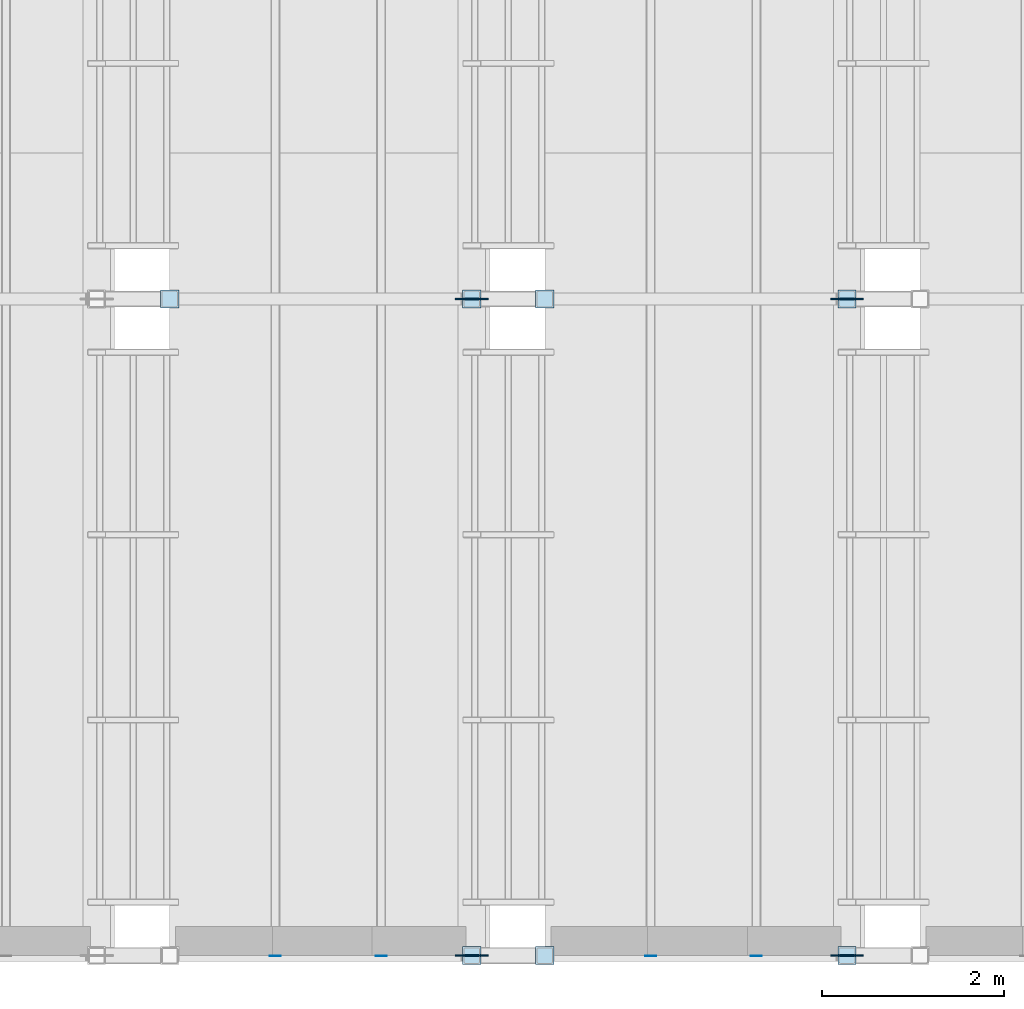
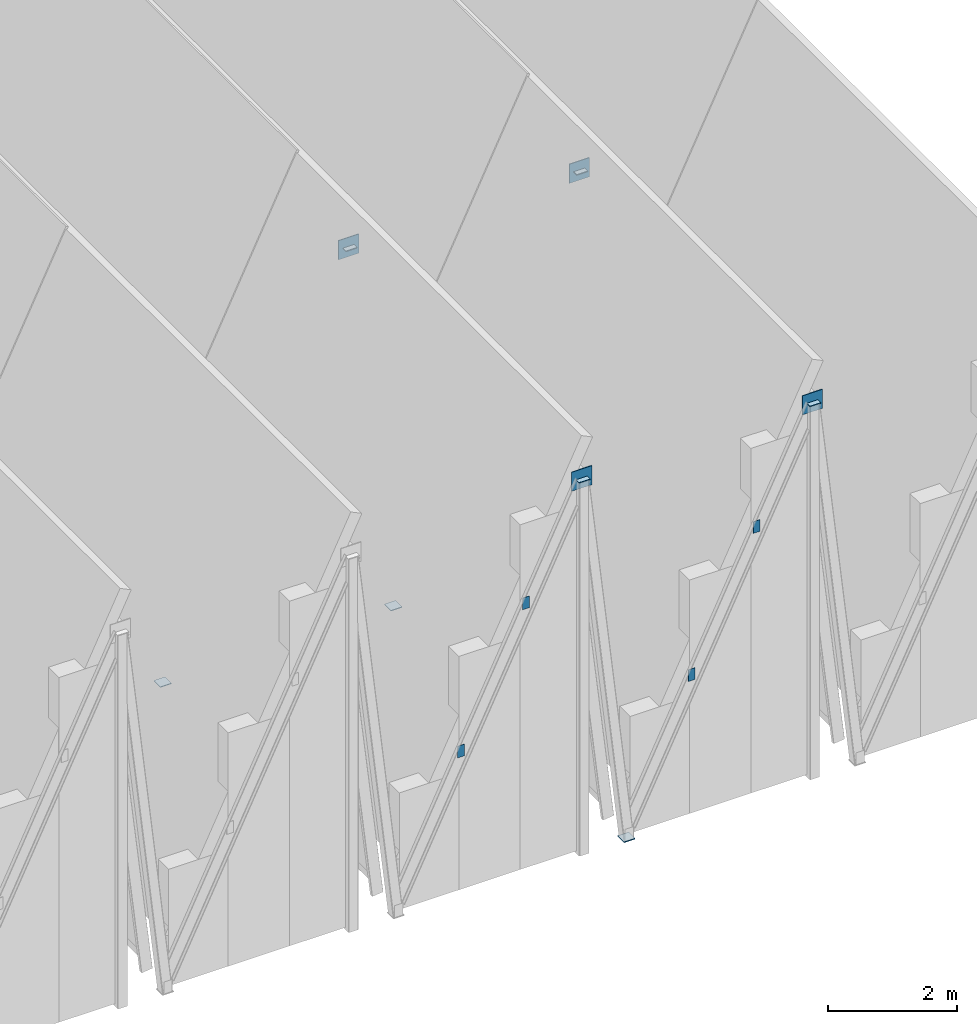
# One storey, part 21 of 28: 15 plates.
"""IFC4 building model written with IfcOpenShell, lengths in metres."""

from ifc_helpers import new_model, si_unit, direction, frame, origin, origin_2d, place, context, subcontext, project, spatial, rectangle, extrude, material, layer, layer_set, type_object, element, save


model = new_model("IFC4")

# Units and contexts
model_context = context("Model", 3, precision=1e-05, world=origin(), true_north=direction((0.0, 1.0)))
body_context = subcontext(model_context, "Body", "Model", "MODEL_VIEW")
ifc_project = project(units=[si_unit("LENGTHUNIT", "METRE"), si_unit("AREAUNIT", "SQUARE_METRE"), si_unit("VOLUMEUNIT", "CUBIC_METRE"), si_unit("PLANEANGLEUNIT", "RADIAN"), si_unit("MASSUNIT", "GRAM", prefix="KILO")], contexts=[model_context])

# Site, building, storey
site_placement = place(None, origin())
site = spatial("IfcSite", under=ifc_project, at=site_placement, CompositionType="ELEMENT")
building_placement = place(site_placement, origin())
building = spatial("IfcBuilding", under=site, at=building_placement, Name="Bramveld Media Centre", CompositionType="ELEMENT")
storey_placement = place(building_placement, frame((0.0, 0.0, 33.89990234375)))
storey = spatial("IfcBuildingStorey", under=building, at=storey_placement, Name="ROOF", CompositionType="ELEMENT", Elevation=33.89990234375)

# Plates
ifc_material_1 = material(Name="Steel S355J2", Category="steel")
ifc_layer_1 = layer(ifc_material_1, 0.010009765625)
ifc_layer_set_1 = layer_set([ifc_layer_1], Name="Steel S355J2")
plate_type_1 = type_object("IfcPlateType", Name="PLT-CAP-10", PredefinedType="USERDEFINED", material=ifc_layer_set_1)
for number, where, z_axis, x_axis, name in (
    (1, (148.817138671875, 83.2001953125, 2.61083984375), (0.0, -1.0, 0.0), (1.0, 0.0, 0.0), "Hollow section end cap plate CAP-CPURL-B05-35-S"),
    (2, (149.97705078125, 83.2001953125, 4.997802734375), (0.0, -1.0, 0.0), (1.0, 0.0, 0.0), "Hollow section end cap plate CAP-CPURL-B05-70-S"),
    (3, (152.931396484375, 83.2001953125, 2.61083984375), (0.0, -1.0, 0.0), (1.0, 0.0, 0.0), "Hollow section end cap plate CAP-CPURL-B06-35-S"),
    (4, (154.09130859375, 83.2001953125, 4.997802734375), (0.0, -1.0, 0.0), (1.0, 0.0, 0.0), "Hollow section end cap plate CAP-CPURL-B06-70-S"),
):
    element("IfcPlate", number, at=place(storey_placement, frame(where, z_axis=z_axis, x_axis=x_axis)), inside=storey, type_object=plate_type_1, Name=name, ObjectType="CAP PLATE", PredefinedType="USERDEFINED", context=body_context, shape_type="SweptSolid", body=[
        extrude(rectangle(XDim=0.1201171875, YDim=0.219970703125, at=origin_2d()), origin(), (0.0, 0.0, 1.0), 0.010009765625),
    ])
ifc_material_2 = material(Name="Steel S355J2", Category="steel")
ifc_layer_2 = layer(ifc_material_2, 0.013916015625)
ifc_layer_set_2 = layer_set([ifc_layer_2], Name="Steel S355J2")
plate_type_2 = type_object("IfcPlateType", Name="PLT-CAP-14", PredefinedType="USERDEFINED", material=ifc_layer_set_2)
for number, where, z_axis, x_axis, name in (
    (5, (147.657958984375, 90.39990234375, -0.0498046875), (0.0, 0.0, -1.0), (1.0, 0.0, 0.0), "Hollow section end cap plate CAP-CRN-FR-B04-F2-R"),
    (6, (150.970703125, 83.199951171875, 6.99462890625), (0.0, 0.0, 1.0), (1.0, 0.0, 0.0), "Hollow section end cap plate CAP-CRN-FR-B05-F1"),
    (7, (151.772216796875, 83.199951171875, -0.0498046875), (0.0, 0.0, -1.0), (1.0, 0.0, 0.0), "Hollow section end cap plate CAP-CRN-FR-B05-F1-R"),
    (8, (150.970703125, 90.39990234375, 6.99462890625), (0.0, 0.0, 1.0), (1.0, 0.0, 0.0), "Hollow section end cap plate CAP-CRN-FR-B05-F2"),
    (9, (151.772216796875, 90.39990234375, -0.0498046875), (0.0, 0.0, -1.0), (1.0, 0.0, 0.0), "Hollow section end cap plate CAP-CRN-FR-B05-F2-R"),
    (10, (155.0849609375, 83.199951171875, 6.99462890625), (0.0, 0.0, 1.0), (1.0, 0.0, 0.0), "Hollow section end cap plate CAP-CRN-FR-B06-F1"),
    (11, (155.0849609375, 90.39990234375, 6.99462890625), (0.0, 0.0, 1.0), (1.0, 0.0, 0.0), "Hollow section end cap plate CAP-CRN-FR-B06-F2"),
):
    element("IfcPlate", number, at=place(storey_placement, frame(where, z_axis=z_axis, x_axis=x_axis)), inside=storey, type_object=plate_type_2, Name=name, ObjectType="CAP PLATE", PredefinedType="USERDEFINED", context=body_context, shape_type="SweptSolid", body=[
        extrude(rectangle(XDim=0.199951171875, YDim=0.199951171875, at=origin_2d()), origin(), (0.0, 0.0, 1.0), 0.013916015625),
    ])
ifc_material_3 = material(Name="Steel S355J2", Category="steel")
ifc_layer_3 = layer(ifc_material_3, 0.01611328125)
ifc_layer_set_3 = layer_set([ifc_layer_3], Name="Steel S355J2")
plate_type_3 = type_object("IfcPlateType", Name="PLT-GUSSET-CRN16", PredefinedType="USERDEFINED", material=ifc_layer_set_3)
for number, where, z_axis, x_axis, name in (
    (12, (150.971435546875, 83.199951171875, 6.81494140625), (0.0, 0.0, 1.0), (1.0, 0.0, 0.0), "CRN-FR-B05-F1 ridge gusset plate"),
    (13, (150.971435546875, 90.39990234375, 6.81494140625), (0.0, 0.0, 1.0), (1.0, 0.0, 0.0), "CRN-FR-B05-F2 ridge gusset plate"),
    (14, (155.085693359375, 83.199951171875, 6.81494140625), (0.0, 0.0, 1.0), (1.0, 0.0, 0.0), "CRN-FR-B06-F1 ridge gusset plate"),
    (15, (155.085693359375, 90.39990234375, 6.81494140625), (0.0, 0.0, 1.0), (1.0, 0.0, 0.0), "CRN-FR-B06-F2 ridge gusset plate"),
):
    element("IfcPlate", number, at=place(storey_placement, frame(where, z_axis=z_axis, x_axis=x_axis)), inside=storey, type_object=plate_type_3, Name=name, ObjectType="GUSSET PLATE", PredefinedType="USERDEFINED", context=body_context, shape_type="SweptSolid", body=[
        extrude(rectangle(XDim=0.360107421875, YDim=0.01611328125, at=origin_2d()), origin(), (0.0, 0.0, 1.0), 0.360107421875),
    ])

save(model, "model.ifc")
